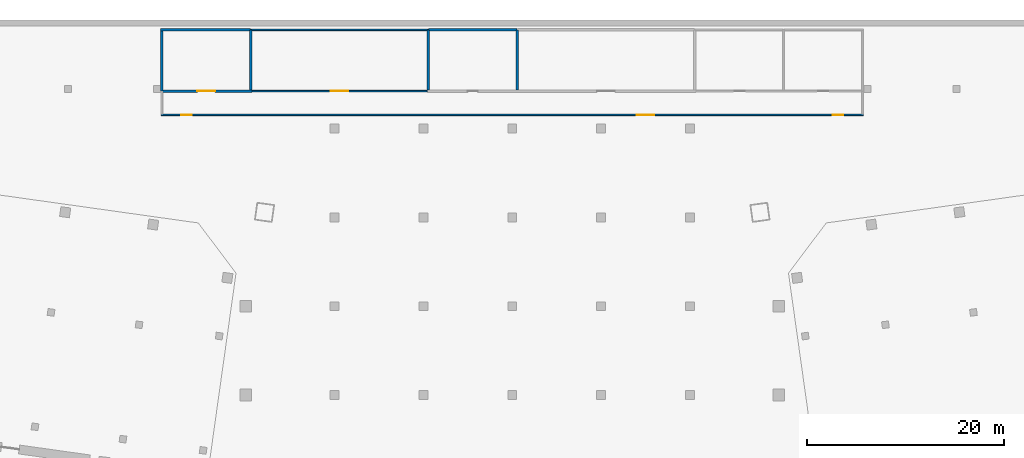
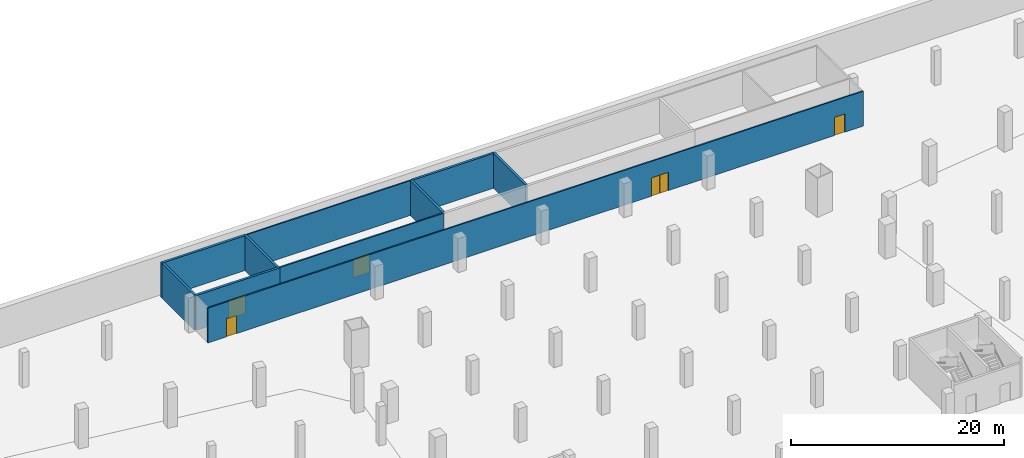
# One storey, part 6 of 17: 10 walls, 5 doors, 5 openings.
"""IFC4 building model written with IfcOpenShell, lengths in metres."""

from ifc_helpers import new_model, si_unit, direction, frame, frame_2d, origin, place, context, subcontext, project, spatial, rectangle, extrude, material, layer, layer_set, type_object, element, fill, save


model = new_model("IFC4")

# Units and contexts
model_context = context("Model", 3, precision=1e-05, world=origin(), true_north=direction((0.0, 1.0)))
body_context = subcontext(model_context, "Body", "Model", "MODEL_VIEW")
ifc_project = project(units=[si_unit("LENGTHUNIT", "METRE"), si_unit("AREAUNIT", "SQUARE_METRE"), si_unit("VOLUMEUNIT", "CUBIC_METRE"), si_unit("PLANEANGLEUNIT", "RADIAN"), si_unit("MASSUNIT", "GRAM", prefix="KILO")], contexts=[model_context])

# Site, building, storey
site_placement = place(None, origin())
site = spatial("IfcSite", under=ifc_project, at=site_placement, CompositionType="ELEMENT")
building_placement = place(site_placement, origin())
building = spatial("IfcBuilding", under=site, at=building_placement, Name="Mirante Cascada Hotel Towers", CompositionType="ELEMENT")
storey_placement = place(building_placement, frame((0.0, 0.0, -4.5)))
storey = spatial("IfcBuildingStorey", under=building, at=storey_placement, Name="B1", CompositionType="ELEMENT", Elevation=-4.5)

# Wall, opening, door
ifc_material_1 = material(Name="Masonry block", Category="masonry")
ifc_layer_1 = layer(ifc_material_1, 0.25)
ifc_layer_set_1 = layer_set([ifc_layer_1], Name="Basement plant room wall 250 block EI 120")
wall_type_1 = type_object("IfcWallType", Name="Basement plant room wall 250 block EI 120", PredefinedType="PARTITIONING", material=ifc_layer_set_1)
wall_1_placement = place(storey_placement, frame((-35.5, 30.8, 0.0), z_axis=(0.0, 0.0, 1.0), x_axis=(1.0, 0.0, 0.0)))
wall_1 = element("IfcWall", 1, at=wall_1_placement, inside=storey, type_object=wall_type_1, Name="Plant room wall B1", PredefinedType="PARTITIONING", context=body_context, shape_type="SweptSolid", body=[
    extrude(rectangle(XDim=9.135, YDim=0.25, at=frame_2d((4.5675, 0.0))), origin(), (0.0, 0.0, 1.0), 4.0),
])
opening_1_placement = place(wall_1_placement, frame((3.6, 0.0, 0.0)))
opening_1 = element("IfcOpeningElement", 2, at=opening_1_placement, cuts=wall_1, Name="Opening DB-1-01", PredefinedType="OPENING", context=body_context, shape_type="SweptSolid", body=[
    extrude(rectangle(XDim=1.8, YDim=2.1, at=frame_2d((0.9, 1.05))), frame((0.0, 0.125, 0.0), z_axis=(0.0, -1.0, 0.0), x_axis=(1.0, 0.0, 0.0)), (0.0, 0.0, 1.0), 0.25),
])
ifc_material_2 = material(Name="Hollow metal fire door leaf")
door_type_1 = type_object("IfcDoorType", Name="Basement double fire door 1800x2100 FD60", OperationType="DOUBLE_DOOR_SINGLE_SWING", PredefinedType="DOOR", material=ifc_material_2)
door_1_placement = place(opening_1_placement, origin())
door_1 = element("IfcDoor", 3, at=door_1_placement, inside=storey, type_object=door_type_1, Name="Door to refuse room DB-1-01", OperationType="DOUBLE_DOOR_SINGLE_SWING", OverallHeight=2.1, OverallWidth=1.8, PredefinedType="DOOR", context=body_context, shape_type="SweptSolid", body=[
    extrude(rectangle(XDim=0.895, YDim=2.1, at=frame_2d((0.4475, 1.05))), frame((0.0, 0.025, 0.0), z_axis=(0.0, -1.0, 0.0), x_axis=(1.0, 0.0, 0.0)), (0.0, 0.0, 1.0), 0.05),
    extrude(rectangle(XDim=0.895, YDim=2.1, at=frame_2d((1.3525, 1.05))), frame((0.0, 0.025, 0.0), z_axis=(0.0, -1.0, 0.0), x_axis=(1.0, 0.0, 0.0)), (0.0, 0.0, 1.0), 0.05),
])
fill(opening_1, door_1)

# Walls
wall_2_placement = place(storey_placement, frame((-35.625, 37.0, 0.0), z_axis=(0.0, 0.0, 1.0), x_axis=(1.0, 0.0, 0.0)))
element("IfcWall", 4, at=wall_2_placement, inside=storey, type_object=wall_type_1, Name="Plant room wall B1", PredefinedType="PARTITIONING", context=body_context, shape_type="SweptSolid", body=[
    extrude(rectangle(XDim=9.095, YDim=0.25, at=frame_2d((4.5475, 0.0))), origin(), (0.0, 0.0, 1.0), 4.0),
])
wall_3_placement = place(storey_placement, frame((-8.47, 37.0, 0.0), z_axis=(0.0, 0.0, 1.0), x_axis=(1.0, 0.0, 0.0)))
element("IfcWall", 5, at=wall_3_placement, inside=storey, type_object=wall_type_1, Name="Plant room wall B1", PredefinedType="PARTITIONING", context=body_context, shape_type="SweptSolid", body=[
    extrude(rectangle(XDim=8.94, YDim=0.25, at=frame_2d((4.47, 0.0))), origin(), (0.0, 0.0, 1.0), 4.0),
])
for number, where, z_axis, x_axis, name in (
    (6, (0.5, 30.925, 0.0), (0.0, 0.0, 1.0), (0.0, 1.0, 0.0), "Plant room wall B1"),
    (7, (-8.5, 30.925, 0.0), (0.0, 0.0, 1.0), (0.0, 1.0, 0.0), "Plant room wall B1"),
    (8, (-26.5, 30.925, 0.0), (0.0, 0.0, 1.0), (0.0, 1.0, 0.0), "Plant room wall B1"),
):
    element("IfcWall", number, at=place(storey_placement, frame(where, z_axis=z_axis, x_axis=x_axis)), inside=storey, type_object=wall_type_1, Name=name, PredefinedType="PARTITIONING", context=body_context, shape_type="SweptSolid", body=[
        extrude(rectangle(XDim=6.075, YDim=0.25, at=frame_2d((3.0375, 0.0))), origin(), (0.0, 0.0, 1.0), 4.0),
    ])
wall_4_placement = place(storey_placement, frame((-35.5, 30.83, 0.0), z_axis=(0.0, 0.0, 1.0), x_axis=(0.0, 1.0, 0.0)))
element("IfcWall", 9, at=wall_4_placement, inside=storey, type_object=wall_type_1, Name="Plant room wall B1", PredefinedType="PARTITIONING", context=body_context, shape_type="SweptSolid", body=[
    extrude(rectangle(XDim=6.045, YDim=0.25, at=frame_2d((3.0225, 0.0))), origin(), (0.0, 0.0, 1.0), 4.0),
])

# Wall, openings, doors
ifc_material_3 = material(Name="Masonry block", Category="masonry")
ifc_layer_2 = layer(ifc_material_3, 0.15)
ifc_layer_set_2 = layer_set([ifc_layer_2], Name="Basement service corridor wall 150 block EI 60")
wall_type_2 = type_object("IfcWallType", Name="Basement service corridor wall 150 block EI 60", PredefinedType="PARTITIONING", material=ifc_layer_set_2)
wall_5_placement = place(storey_placement, frame((-35.575, 28.4, 0.0), z_axis=(0.0, 0.0, 1.0), x_axis=(1.0, 0.0, 0.0)))
wall_5 = element("IfcWall", 10, at=wall_5_placement, inside=storey, type_object=wall_type_2, Name="Service corridor wall B1", PredefinedType="PARTITIONING", context=body_context, shape_type="SweptSolid", body=[
    extrude(rectangle(XDim=71.15, YDim=0.15, at=frame_2d((35.575, 0.0))), origin(), (0.0, 0.0, 1.0), 4.0),
])
opening_2_placement = place(wall_5_placement, frame((48.175, 0.0, 0.0)))
opening_2 = element("IfcOpeningElement", 11, at=opening_2_placement, cuts=wall_5, Name="Opening DB-1-07", PredefinedType="OPENING", context=body_context, shape_type="SweptSolid", body=[
    extrude(rectangle(XDim=1.8, YDim=2.1, at=frame_2d((0.9, 1.05))), frame((0.0, 0.075, 0.0), z_axis=(0.0, -1.0, 0.0), x_axis=(1.0, 0.0, 0.0)), (0.0, 0.0, 1.0), 0.15),
])
opening_3_placement = place(wall_5_placement, frame((2.025, 0.0, 0.0)))
opening_3 = element("IfcOpeningElement", 12, at=opening_3_placement, cuts=wall_5, Name="Opening DB-1-08", PredefinedType="OPENING", context=body_context, shape_type="SweptSolid", body=[
    extrude(rectangle(XDim=1.1, YDim=2.1, at=frame_2d((0.55, 1.05))), frame((0.0, 0.075, 0.0), z_axis=(0.0, -1.0, 0.0), x_axis=(1.0, 0.0, 0.0)), (0.0, 0.0, 1.0), 0.15),
])
opening_4_placement = place(wall_5_placement, frame((68.025, 0.0, 0.0)))
opening_4 = element("IfcOpeningElement", 13, at=opening_4_placement, cuts=wall_5, Name="Opening DB-1-09", PredefinedType="OPENING", context=body_context, shape_type="SweptSolid", body=[
    extrude(rectangle(XDim=1.1, YDim=2.1, at=frame_2d((0.55, 1.05))), frame((0.0, 0.075, 0.0), z_axis=(0.0, -1.0, 0.0), x_axis=(1.0, 0.0, 0.0)), (0.0, 0.0, 1.0), 0.15),
])
door_2_placement = place(opening_2_placement, origin())
door_2 = element("IfcDoor", 14, at=door_2_placement, inside=storey, type_object=door_type_1, Name="Door to car park DB-1-07", OperationType="DOUBLE_DOOR_SINGLE_SWING", OverallHeight=2.1, OverallWidth=1.8, PredefinedType="DOOR", context=body_context, shape_type="SweptSolid", body=[
    extrude(rectangle(XDim=0.895, YDim=2.1, at=frame_2d((0.4475, 1.05))), frame((0.0, 0.025, 0.0), z_axis=(0.0, -1.0, 0.0), x_axis=(1.0, 0.0, 0.0)), (0.0, 0.0, 1.0), 0.05),
    extrude(rectangle(XDim=0.895, YDim=2.1, at=frame_2d((1.3525, 1.05))), frame((0.0, 0.025, 0.0), z_axis=(0.0, -1.0, 0.0), x_axis=(1.0, 0.0, 0.0)), (0.0, 0.0, 1.0), 0.05),
])
fill(opening_2, door_2)
ifc_material_4 = material(Name="Hollow metal fire door leaf")
door_type_2 = type_object("IfcDoorType", Name="Basement fire door 1100x2100 FD60", OperationType="NOTDEFINED", PredefinedType="DOOR", material=ifc_material_4)
door_3_placement = place(opening_3_placement, origin())
door_3 = element("IfcDoor", 15, at=door_3_placement, inside=storey, type_object=door_type_2, Name="Door to car park DB-1-08", OperationType="SINGLE_SWING_RIGHT", OverallHeight=2.1, OverallWidth=1.1, PredefinedType="DOOR", context=body_context, shape_type="SweptSolid", body=[
    extrude(rectangle(XDim=1.1, YDim=2.1, at=frame_2d((0.55, 1.05))), frame((0.0, 0.025, 0.0), z_axis=(0.0, -1.0, 0.0), x_axis=(1.0, 0.0, 0.0)), (0.0, 0.0, 1.0), 0.05),
])
fill(opening_3, door_3)
door_4_placement = place(opening_4_placement, origin())
door_4 = element("IfcDoor", 16, at=door_4_placement, inside=storey, type_object=door_type_2, Name="Door to car park DB-1-09", OperationType="SINGLE_SWING_LEFT", OverallHeight=2.1, OverallWidth=1.1, PredefinedType="DOOR", context=body_context, shape_type="SweptSolid", body=[
    extrude(rectangle(XDim=1.1, YDim=2.1, at=frame_2d((0.55, 1.05))), frame((0.0, 0.025, 0.0), z_axis=(0.0, -1.0, 0.0), x_axis=(1.0, 0.0, 0.0)), (0.0, 0.0, 1.0), 0.05),
])
fill(opening_4, door_4)

# Wall, opening, door
wall_6_placement = place(storey_placement, frame((-26.385, 30.8, 0.0), z_axis=(0.0, 0.0, 1.0), x_axis=(1.0, 0.0, 0.0)))
wall_6 = element("IfcWall", 17, at=wall_6_placement, inside=storey, type_object=wall_type_2, Name="Service corridor wall B1", PredefinedType="PARTITIONING", context=body_context, shape_type="SweptSolid", body=[
    extrude(rectangle(XDim=17.77, YDim=0.15, at=frame_2d((8.885, 0.0))), origin(), (0.0, 0.0, 1.0), 4.0),
])
opening_5_placement = place(wall_6_placement, frame((7.985, 0.0, 0.0)))
opening_5 = element("IfcOpeningElement", 18, at=opening_5_placement, cuts=wall_6, Name="Opening DB-1-02", PredefinedType="OPENING", context=body_context, shape_type="SweptSolid", body=[
    extrude(rectangle(XDim=1.8, YDim=2.1, at=frame_2d((0.9, 1.05))), frame((0.0, 0.075, 0.0), z_axis=(0.0, -1.0, 0.0), x_axis=(1.0, 0.0, 0.0)), (0.0, 0.0, 1.0), 0.15),
])
door_5_placement = place(opening_5_placement, origin())
door_5 = element("IfcDoor", 19, at=door_5_placement, inside=storey, type_object=door_type_1, Name="Door to cycle store DB-1-02", OperationType="DOUBLE_DOOR_SINGLE_SWING", OverallHeight=2.1, OverallWidth=1.8, PredefinedType="DOOR", context=body_context, shape_type="SweptSolid", body=[
    extrude(rectangle(XDim=0.895, YDim=2.1, at=frame_2d((0.4475, 1.05))), frame((0.0, 0.025, 0.0), z_axis=(0.0, -1.0, 0.0), x_axis=(1.0, 0.0, 0.0)), (0.0, 0.0, 1.0), 0.05),
    extrude(rectangle(XDim=0.895, YDim=2.1, at=frame_2d((1.3525, 1.05))), frame((0.0, 0.025, 0.0), z_axis=(0.0, -1.0, 0.0), x_axis=(1.0, 0.0, 0.0)), (0.0, 0.0, 1.0), 0.05),
])
fill(opening_5, door_5)

# Wall
ifc_material_5 = material(Name="Masonry block", Category="masonry")
ifc_layer_3 = layer(ifc_material_5, 0.15)
ifc_layer_set_3 = layer_set([ifc_layer_3], Name="Basement service room wall 150 block EI 60")
wall_type_3 = type_object("IfcWallType", Name="Basement service room wall 150 block EI 60", PredefinedType="PARTITIONING", material=ifc_layer_set_3)
wall_7_placement = place(storey_placement, frame((-26.47, 37.0, 0.0), z_axis=(0.0, 0.0, 1.0), x_axis=(1.0, 0.0, 0.0)))
element("IfcWall", 20, at=wall_7_placement, inside=storey, type_object=wall_type_3, Name="Service room wall B1", PredefinedType="PARTITIONING", context=body_context, shape_type="SweptSolid", body=[
    extrude(rectangle(XDim=17.94, YDim=0.15, at=frame_2d((8.97, 0.0))), origin(), (0.0, 0.0, 1.0), 4.0),
])

save(model, "model.ifc")
